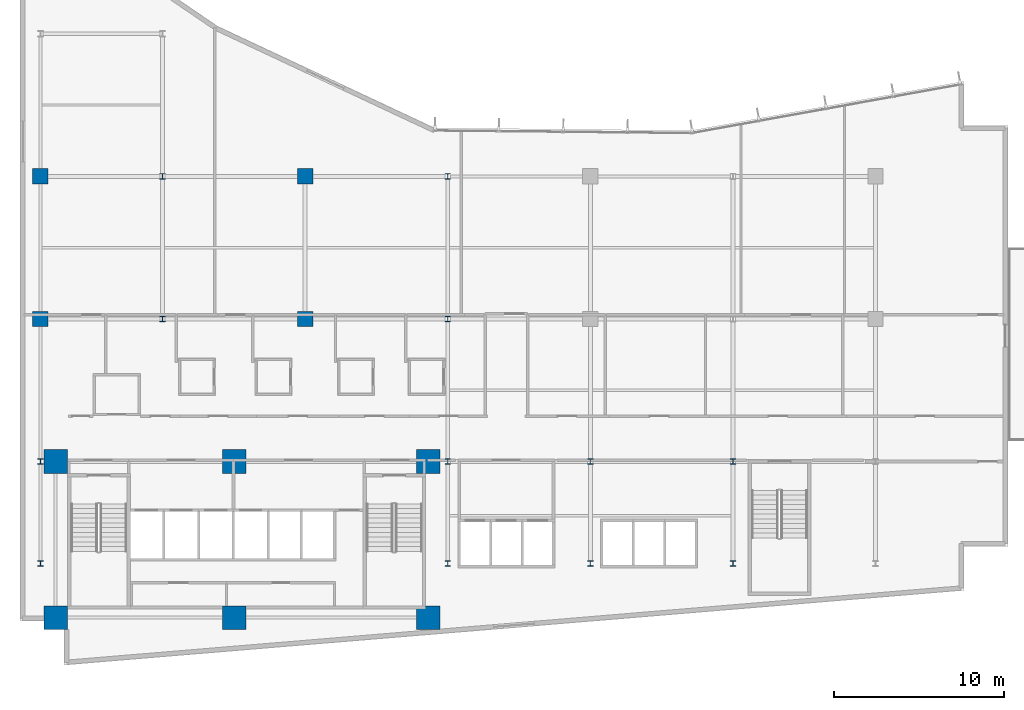
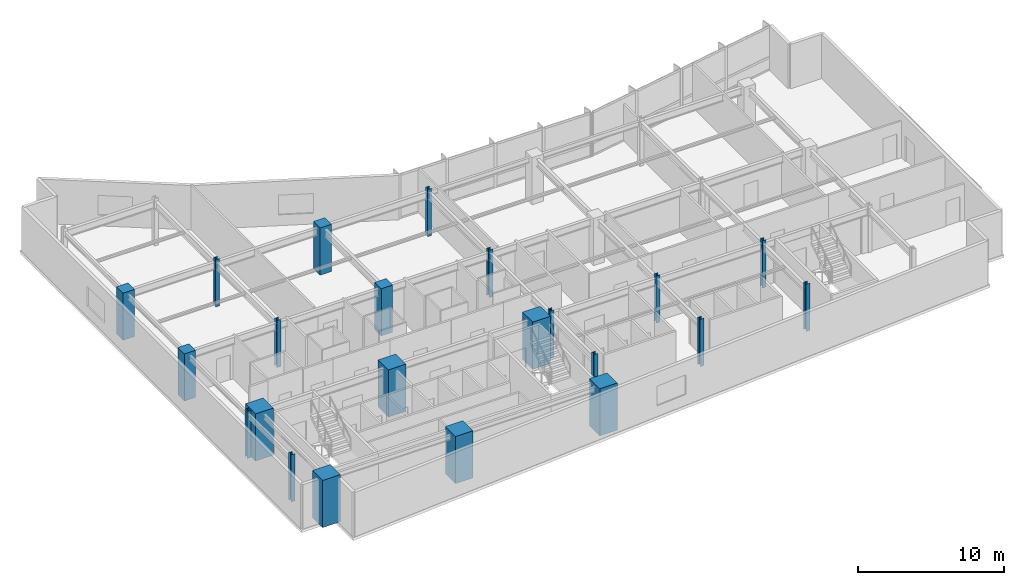
# One storey, part 1 of 18: 22 columns.
"""IFC4 building model written with IfcOpenShell, lengths in metres."""

import ifcopenshell
import ifcopenshell.guid

model = None  # the IFC model being written
_history = None  # IfcOwnerHistory: only IFC2X3 demands one
_inside = {}  # id of a spatial element -> (the spatial element, [elements in it])
_under = {}  # id of a project, library or spatial element -> (it, [spatial elements below it])
_declared = {}  # id of a project -> (the project, [libraries it declares])
_typed = {}  # id of a type object -> (the type object, [elements of that type])
_made_of = {}  # id of a material, layer set ... -> (it, [elements and type objects made of it])


def new_model(schema):
    """Start an empty IFC model of exactly this schema.

    Asked for "IFC4X3", IfcOpenShell would pick the latest addendum, in which some entities
    have other attributes; the version numbers below select the first issue.
    IFC2X3 requires an IfcOwnerHistory on every rooted entity: one is made here for all.
    """
    global model, _history
    if schema == "IFC4X3":
        model = ifcopenshell.file(schema_version=(4, 3, 0, 0))
    else:
        model = ifcopenshell.file(schema=schema)
    _inside.clear()
    _under.clear()
    _declared.clear()
    _typed.clear()
    _made_of.clear()
    _history = None
    if model.schema == "IFC2X3":
        org = make("IfcOrganization", Name="unknown")
        user = make(
            "IfcPersonAndOrganization",
            ThePerson=make("IfcPerson", FamilyName="unknown"),
            TheOrganization=org,
        )
        app = make(
            "IfcApplication",
            ApplicationDeveloper=org,
            Version="unknown",
            ApplicationFullName="unknown",
            ApplicationIdentifier="unknown",
        )
        _history = make(
            "IfcOwnerHistory",
            OwningUser=user,
            OwningApplication=app,
            ChangeAction="ADDED",
            CreationDate=0,
        )
    return model


def make(cls, **values):
    """One entity of the class cls with the attributes given. An attribute that is None is left unset."""
    return model.create_entity(
        cls, **{name: value for name, value in values.items() if value is not None}
    )


def rooted(cls, **values):
    """An entity with a GlobalId (a new one), such as an element, a storey or a relation."""
    return make(cls, GlobalId=ifcopenshell.guid.new(), OwnerHistory=_history, **values)


def si_unit(unit_type, name, prefix=None):
    """IfcSIUnit, for example si_unit("LENGTHUNIT", "METRE", prefix="MILLI")."""
    return make("IfcSIUnit", UnitType=unit_type, Prefix=prefix, Name=name)


def assignment(units):
    """IfcUnitAssignment: the units of a project."""
    return None if units is None else make("IfcUnitAssignment", Units=units)


def point(xyz):
    """IfcCartesianPoint."""
    return None if xyz is None else make("IfcCartesianPoint", Coordinates=xyz)


def direction(xyz):
    """IfcDirection."""
    return None if xyz is None else make("IfcDirection", DirectionRatios=xyz)


def frame(location, z_axis=None, x_axis=None):
    """IfcAxis2Placement3D, a coordinate frame: its origin and axes. An axis left out is left unset."""
    return make(
        "IfcAxis2Placement3D",
        Location=point(location),
        Axis=direction(z_axis),
        RefDirection=direction(x_axis),
    )


def frame_2d(location, x_axis=None):
    """IfcAxis2Placement2D, a coordinate frame in the plane: its origin and x axis."""
    return make(
        "IfcAxis2Placement2D", Location=point(location), RefDirection=direction(x_axis)
    )


def origin():
    """The frame at (0, 0, 0) with its axes left unset."""
    return frame((0.0, 0.0, 0.0))


def origin_2d():
    """The frame at (0, 0) in the plane with its x axis left unset."""
    return frame_2d((0.0, 0.0))


def place(relative_to, where):
    """IfcLocalPlacement: puts the frame where relative to a parent placement (None: the world)."""
    return make(
        "IfcLocalPlacement", PlacementRelTo=relative_to, RelativePlacement=where
    )


def context(
    kind, dimensions, precision=None, world=None, true_north=None, identifier=None
):
    """IfcGeometricRepresentationContext, for example the 3D "Model" context."""
    return make(
        "IfcGeometricRepresentationContext",
        ContextIdentifier=identifier,
        ContextType=kind,
        CoordinateSpaceDimension=dimensions,
        Precision=precision,
        WorldCoordinateSystem=world,
        TrueNorth=true_north,
    )


def subcontext(parent, identifier, kind, view, scale=None):
    """IfcGeometricRepresentationSubContext, for example "Body" below "Model"."""
    return make(
        "IfcGeometricRepresentationSubContext",
        ContextIdentifier=identifier,
        ContextType=kind,
        ParentContext=parent,
        TargetScale=scale,
        TargetView=view,
    )


def project(units=None, contexts=None):
    """IfcProject with its units and contexts."""
    return rooted(
        "IfcProject",
        Name="project",
        RepresentationContexts=contexts,
        UnitsInContext=assignment(units),
    )


def spatial(cls, under=None, at=None, **own):
    """A site, building, storey or space (cls), placed at a placement, below another one or the project."""
    s = rooted(cls, ObjectPlacement=at, **own)
    if under is not None:
        _under.setdefault(under.id(), (under, []))[1].append(s)
    return s


def profile(cls, at=None, kind="AREA", **sizes):
    """A parametric profile (cls). Its sizes go by their IFC names, for example OverallWidth=200.0."""
    return make(cls, ProfileType=kind, Position=at, **sizes)


def rectangle(**sizes):
    """IfcRectangleProfileDef."""
    return profile("IfcRectangleProfileDef", **sizes)


def i_section(**sizes):
    """IfcIShapeProfileDef."""
    return profile("IfcIShapeProfileDef", **sizes)


def extrude(swept, where, along, depth):
    """IfcExtrudedAreaSolid: the profile swept, set in the frame where, extruded along a direction by depth."""
    return make(
        "IfcExtrudedAreaSolid",
        SweptArea=swept,
        Position=where,
        ExtrudedDirection=direction(along),
        Depth=depth,
    )


def shape(context_of_items, identifier, shape_type, items):
    """IfcShapeRepresentation: the items that make up one representation, for example the "Body"."""
    return make(
        "IfcShapeRepresentation",
        ContextOfItems=context_of_items,
        RepresentationIdentifier=identifier,
        RepresentationType=shape_type,
        Items=items,
    )


def material(Name=None, Category=None):
    """IfcMaterial."""
    return make("IfcMaterial", Name=Name, Category=Category)


def material_profile(
    of_material, cross_section, Name=None, Category=None, Priority=None
):
    """IfcMaterialProfile: a cross section and its material."""
    return make(
        "IfcMaterialProfile",
        Name=Name,
        Material=of_material,
        Profile=cross_section,
        Priority=Priority,
        Category=Category,
    )


def profile_set(profiles, Name=None, composite=None):
    """IfcMaterialProfileSet."""
    return make(
        "IfcMaterialProfileSet",
        Name=Name,
        MaterialProfiles=profiles,
        CompositeProfile=composite,
    )


def made_of(thing, what):
    """Note that an element or type object is made of a material, layer set ...; save() writes the relation."""
    if what is not None:
        _made_of.setdefault(what.id(), (what, []))[1].append(thing)
    return thing


def type_object(cls, material=None, **own):
    """A type object (cls), such as IfcWallType, which elements share."""
    return made_of(rooted(cls, **own), material)


def element(
    cls,
    number,
    at=None,
    inside=None,
    cuts=None,
    type_object=None,
    material=None,
    context=None,
    identifier="Body",
    shape_type=None,
    held_by="IfcProductDefinitionShape",
    body=None,
    shapes=None,
    **own,
):
    """One element of the class cls, such as IfcWall. Its Tag is "e" and its number.

    at: its placement. inside: the storey or other place that contains it. cuts: it is an
    opening in that element (IfcRelVoidsElement). A single representation is given by context,
    identifier, shape_type and body (its items); several are given by shapes. held_by: the class
    of the entity that holds the representations. save() writes the other relations.
    """
    e = rooted(cls, Tag="e%d" % number, ObjectPlacement=at, **own)
    if body is not None:
        shapes = [shape(context, identifier, shape_type, body)]
    if shapes is not None:
        e.Representation = make(held_by, Representations=shapes)
    if inside is not None:
        _inside.setdefault(inside.id(), (inside, []))[1].append(e)
    if cuts is not None:
        rooted(
            "IfcRelVoidsElement", RelatingBuildingElement=cuts, RelatedOpeningElement=e
        )
    if type_object is not None:
        _typed.setdefault(type_object.id(), (type_object, []))[1].append(e)
    return made_of(e, material)


def aggregate(whole, parts):
    """IfcRelAggregates: a whole, such as a stair, and the parts it consists of."""
    return rooted("IfcRelAggregates", RelatingObject=whole, RelatedObjects=parts)


def save(model, path):
    """Write the relations noted so far, then the file.

    IfcRelAggregates (storeys below a building ...), IfcRelContainedInSpatialStructure (elements
    in a storey), IfcRelDefinesByType, IfcRelAssociatesMaterial and IfcRelDeclares: one each for
    every whole, place, type object, material and project.
    """
    for whole, parts in _under.values():
        aggregate(whole, parts)
    for where, things in _inside.values():
        rooted(
            "IfcRelContainedInSpatialStructure",
            RelatedElements=things,
            RelatingStructure=where,
        )
    for kind, things in _typed.values():
        rooted("IfcRelDefinesByType", RelatedObjects=things, RelatingType=kind)
    for what, things in _made_of.values():
        rooted("IfcRelAssociatesMaterial", RelatedObjects=things, RelatingMaterial=what)
    for by, libraries in _declared.values():
        rooted("IfcRelDeclares", RelatingContext=by, RelatedDefinitions=libraries)
    model.write(path)


model = new_model("IFC4")

# Units and contexts
model_context = context("Model", 3, precision=1e-05, world=origin(), true_north=direction((0.0, 1.0)))
body_context = subcontext(model_context, "Body", "Model", "MODEL_VIEW")
ifc_project = project(units=[si_unit("LENGTHUNIT", "METRE"), si_unit("AREAUNIT", "SQUARE_METRE"), si_unit("VOLUMEUNIT", "CUBIC_METRE"), si_unit("PLANEANGLEUNIT", "RADIAN"), si_unit("MASSUNIT", "GRAM", prefix="KILO")], contexts=[model_context])

# Site, building, storey
site_placement = place(None, origin())
site = spatial("IfcSite", under=ifc_project, at=site_placement, CompositionType="ELEMENT")
building_placement = place(site_placement, origin())
building = spatial("IfcBuilding", under=site, at=building_placement, Name="Varnakote Quay Hospital", CompositionType="ELEMENT")
storey_placement = place(building_placement, frame((0.0, 0.0, 73.85009765625)))
storey = spatial("IfcBuildingStorey", under=building, at=storey_placement, Name="L18", CompositionType="ELEMENT", Elevation=73.85009765625)

# Columns
ifc_material_1 = material(Name="Concrete N80 (f'c 80 MPa)", Category="concrete")
ifc_material_profile_1 = material_profile(ifc_material_1, rectangle(XDim=1.39990234375, YDim=1.39990234375, at=origin_2d()), Name="RC-COL-1400x1400")
ifc_profile_set_1 = profile_set([ifc_material_profile_1], Name="Concrete N80 (f'c 80 MPa)")
column_type_1 = type_object("IfcColumnType", Name="COL-RC-1400", PredefinedType="COLUMN", material=ifc_profile_set_1)
for number, where, z_axis, x_axis, name in (
    (1, (2.10009765625, 2.800048828125, 0.0), (0.0, 0.0, 1.0), (1.0, 0.0, 0.0), "L18 Structural Column C-2-3"),
    (2, (12.6201171875, 2.800048828125, 0.0), (0.0, 0.0, 1.0), (1.0, 0.0, 0.0), "L18 Structural Column C-13-3"),
    (3, (24.050048828125, 2.800048828125, 0.0), (0.0, 0.0, 1.0), (1.0, 0.0, 0.0), "L18 Structural Column C-24-3"),
    (4, (2.10009765625, 12.0, 0.0), (0.0, 0.0, 1.0), (1.0, 0.0, 0.0), "L18 Structural Column C-2-12"),
    (5, (12.6201171875, 12.0, 0.0), (0.0, 0.0, 1.0), (1.0, 0.0, 0.0), "L18 Structural Column C-13-12"),
    (6, (24.050048828125, 12.0, 0.0), (0.0, 0.0, 1.0), (1.0, 0.0, 0.0), "L18 Structural Column C-24-12"),
):
    element("IfcColumn", number, at=place(storey_placement, frame(where, z_axis=z_axis, x_axis=x_axis)), inside=storey, type_object=column_type_1, Name=name, PredefinedType="COLUMN", context=body_context, shape_type="SweptSolid", body=[
        extrude(rectangle(XDim=1.39990234375, YDim=1.39990234375, at=origin_2d()), origin(), (0.0, 0.0, 1.0), 3.949951171875),
    ])
ifc_material_2 = material(Name="Concrete N50 (f'c 50 MPa)", Category="concrete")
ifc_material_profile_2 = material_profile(ifc_material_2, rectangle(XDim=0.89990234375, YDim=0.89990234375, at=origin_2d()), Name="RC-COL-900x900")
ifc_profile_set_2 = profile_set([ifc_material_profile_2], Name="Concrete N50 (f'c 50 MPa)")
column_type_2 = type_object("IfcColumnType", Name="COL-RC-900", PredefinedType="COLUMN", material=ifc_profile_set_2)
for number, where, z_axis, x_axis, name in (
    (7, (1.199951171875, 20.39990234375, 0.0), (0.0, 0.0, 1.0), (1.0, 0.0, 0.0), "L18 Structural Column C-1-20"),
    (8, (16.800048828125, 20.39990234375, 0.0), (0.0, 0.0, 1.0), (1.0, 0.0, 0.0), "L18 Structural Column C-17-20"),
    (9, (1.199951171875, 28.800048828125, 0.0), (0.0, 0.0, 1.0), (1.0, 0.0, 0.0), "L18 Structural Column C-1-29"),
    (10, (16.800048828125, 28.800048828125, 0.0), (0.0, 0.0, 1.0), (1.0, 0.0, 0.0), "L18 Structural Column C-17-29"),
):
    element("IfcColumn", number, at=place(storey_placement, frame(where, z_axis=z_axis, x_axis=x_axis)), inside=storey, type_object=column_type_2, Name=name, PredefinedType="COLUMN", context=body_context, shape_type="SweptSolid", body=[
        extrude(rectangle(XDim=0.89990234375, YDim=0.89990234375, at=origin_2d()), origin(), (0.0, 0.0, 1.0), 3.949951171875),
    ])
ifc_material_3 = material(Name="Structural steel AS/NZS 3679.1 Grade 350 L0 (fy 340 MPa)", Category="steel")
ifc_material_profile_3 = material_profile(ifc_material_3, i_section(OverallWidth=0.31103515625, OverallDepth=0.326904296875, WebThickness=0.015625, FlangeThickness=0.02490234375, FilletRadius=0.0166015625, at=origin_2d()), Name="310UC158")
ifc_profile_set_3 = profile_set([ifc_material_profile_3], Name="Structural steel AS/NZS 3679.1 Grade 350 L0 (fy 340 MPa)")
column_type_3 = type_object("IfcColumnType", Name="COL-STL-310UC158", PredefinedType="COLUMN", material=ifc_profile_set_3)
for number, where, z_axis, x_axis, name in (
    (11, (1.199951171875, 6.0, 0.0), (0.0, 0.0, 1.0), (1.0, 0.0, 0.0), "L18 Structural Column C-1-6"),
    (12, (25.199951171875, 6.0, 0.0), (0.0, 0.0, 1.0), (1.0, 0.0, 0.0), "L18 Structural Column C-25-6"),
    (13, (33.60009765625, 6.0, 0.0), (0.0, 0.0, 1.0), (1.0, 0.0, 0.0), "L18 Structural Column C-34-6"),
    (14, (42.0, 6.0, 0.0), (0.0, 0.0, 1.0), (1.0, 0.0, 0.0), "L18 Structural Column C-42-6"),
    (15, (1.199951171875, 12.0, 0.0), (0.0, 0.0, 1.0), (1.0, 0.0, 0.0), "L18 Structural Column C-1-12"),
    (16, (25.199951171875, 12.0, 0.0), (0.0, 0.0, 1.0), (1.0, 0.0, 0.0), "L18 Structural Column C-25-12"),
    (17, (33.60009765625, 12.0, 0.0), (0.0, 0.0, 1.0), (1.0, 0.0, 0.0), "L18 Structural Column C-34-12"),
    (18, (42.0, 12.0, 0.0), (0.0, 0.0, 1.0), (1.0, 0.0, 0.0), "L18 Structural Column C-42-12"),
    (19, (8.39990234375, 20.39990234375, 0.0), (0.0, 0.0, 1.0), (1.0, 0.0, 0.0), "L18 Structural Column C-8-20"),
    (20, (25.199951171875, 20.39990234375, 0.0), (0.0, 0.0, 1.0), (1.0, 0.0, 0.0), "L18 Structural Column C-25-20"),
    (21, (8.39990234375, 28.800048828125, 0.0), (0.0, 0.0, 1.0), (1.0, 0.0, 0.0), "L18 Structural Column C-8-29"),
    (22, (25.199951171875, 28.800048828125, 0.0), (0.0, 0.0, 1.0), (1.0, 0.0, 0.0), "L18 Structural Column C-25-29"),
):
    element("IfcColumn", number, at=place(storey_placement, frame(where, z_axis=z_axis, x_axis=x_axis)), inside=storey, type_object=column_type_3, Name=name, PredefinedType="COLUMN", context=body_context, shape_type="SweptSolid", body=[
        extrude(i_section(OverallWidth=0.31103515625, OverallDepth=0.326904296875, WebThickness=0.015625, FlangeThickness=0.02490234375, FilletRadius=0.0166015625, at=origin_2d()), origin(), (0.0, 0.0, 1.0), 3.949951171875),
    ])

save(model, "model.ifc")
